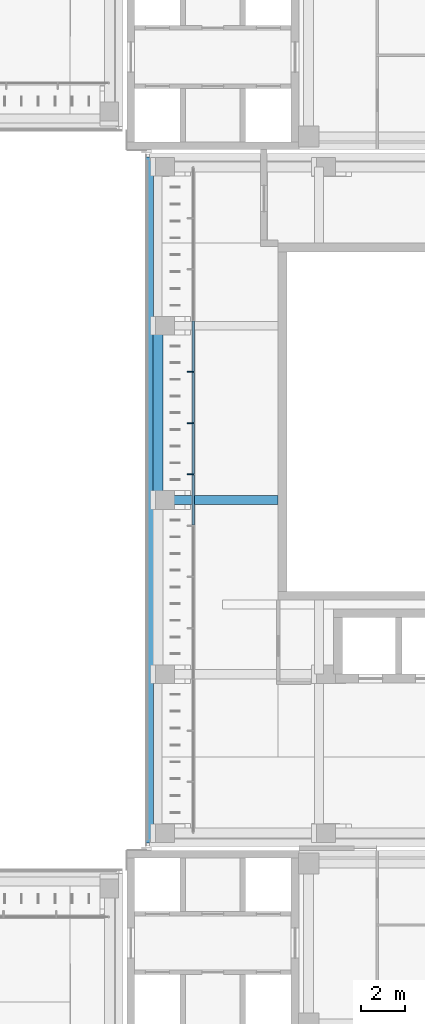
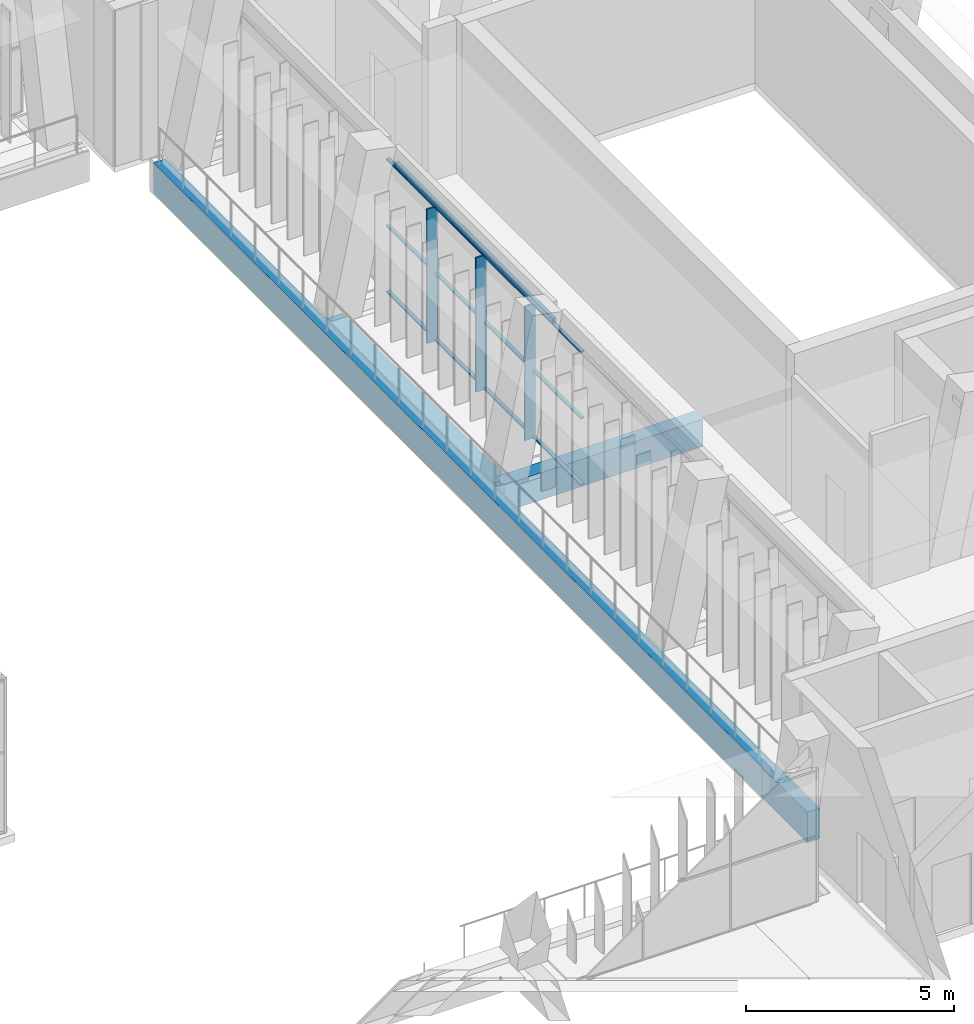
# One storey, part 41 of 92: 15 members, 4 beams, 1 element without a shape of its own.
"""IFC4 building model written with IfcOpenShell, lengths in metres."""

from ifc_helpers import new_model, si_unit, direction, frame, origin, origin_2d, place, context, subcontext, project, spatial, rectangle, hollow_rectangle, extrude, material, material_profile, profile_set, type_object, element, aggregate, save


model = new_model("IFC4")

# Units and contexts
model_context = context("Model", 3, precision=1e-05, world=origin(), true_north=direction((0.0, 1.0)))
body_context = subcontext(model_context, "Body", "Model", "MODEL_VIEW")
ifc_project = project(units=[si_unit("LENGTHUNIT", "METRE"), si_unit("AREAUNIT", "SQUARE_METRE"), si_unit("VOLUMEUNIT", "CUBIC_METRE"), si_unit("PLANEANGLEUNIT", "RADIAN"), si_unit("MASSUNIT", "GRAM", prefix="KILO")], contexts=[model_context])

# Site, building, storey
site_placement = place(None, origin())
site = spatial("IfcSite", under=ifc_project, at=site_placement, CompositionType="ELEMENT")
building_placement = place(site_placement, origin())
building = spatial("IfcBuilding", under=site, at=building_placement, Name="Lantern Court Media Centre", CompositionType="ELEMENT")
storey_placement = place(building_placement, frame((0.0, 0.0, 4.800048828125)))
storey = spatial("IfcBuildingStorey", under=building, at=storey_placement, Name="L01", CompositionType="ELEMENT", Elevation=4.800048828125)

# Curtain wall, members
ifc_material_1 = material(Name="Curtain wall bay 2400")
curtain_wall_type = type_object("IfcCurtainWallType", Name="Curtain wall bay 2400", PredefinedType="NOTDEFINED", material=ifc_material_1)
curtain_wall_placement = place(storey_placement, origin())
curtain_wall = element("IfcCurtainWall", 1, at=curtain_wall_placement, inside=storey, type_object=curtain_wall_type, Name="Curtain wall E inner L01", PredefinedType="NOTDEFINED")
ifc_material_2 = material(Name="Anodised aluminium", Category="aluminium")
ifc_material_profile_1 = material_profile(ifc_material_2, rectangle(XDim=0.300048828125, YDim=0.050048828125, at=origin_2d()), Name="AL 50x300")
ifc_profile_set_1 = profile_set([ifc_material_profile_1], Name="Anodised aluminium")
member_type_1 = type_object("IfcMemberType", Name="Curtain wall mullion 50x300", PredefinedType="MULLION", material=ifc_profile_set_1)
member_1_placement = place(storey_placement, frame((83.030029296875, 81.177001953125, 0.0), z_axis=(0.0, 0.0, 1.0), x_axis=(-1.0, 0.0, 0.0)))
member_1 = element("IfcMember", 2, at=member_1_placement, type_object=member_type_1, Name="CW2 mullion 8", PredefinedType="MULLION", context=body_context, shape_type="SweptSolid", body=[
    extrude(rectangle(XDim=0.300048828125, YDim=0.050048828125, at=origin_2d()), origin(), (0.0, 0.0, 1.0), 3.949951171875),
])
member_2_placement = place(storey_placement, frame((83.030029296875, 83.53076171875, 0.0), z_axis=(0.0, 0.0, 1.0), x_axis=(-1.0, 0.0, 0.0)))
member_2 = element("IfcMember", 3, at=member_2_placement, type_object=member_type_1, Name="CW2 mullion 9", PredefinedType="MULLION", context=body_context, shape_type="SweptSolid", body=[
    extrude(rectangle(XDim=0.300048828125, YDim=0.050048828125, at=origin_2d()), origin(), (0.0, 0.0, 1.0), 3.949951171875),
])
member_3_placement = place(storey_placement, frame((83.030029296875, 85.884521484375, 0.0), z_axis=(0.0, 0.0, 1.0), x_axis=(-1.0, 0.0, 0.0)))
member_3 = element("IfcMember", 4, at=member_3_placement, type_object=member_type_1, Name="CW2 mullion 10", PredefinedType="MULLION", context=body_context, shape_type="SweptSolid", body=[
    extrude(rectangle(XDim=0.300048828125, YDim=0.050048828125, at=origin_2d()), origin(), (0.0, 0.0, 1.0), 3.949951171875),
])
ifc_material_profile_2 = material_profile(ifc_material_2, rectangle(XDim=0.10009765625, YDim=0.050048828125, at=origin_2d()), Name="AL 50x100")
ifc_profile_set_2 = profile_set([ifc_material_profile_2], Name="Anodised aluminium")
member_type_2 = type_object("IfcMemberType", Name="Curtain wall transom 100x50", PredefinedType="USERDEFINED", material=ifc_profile_set_2)
member_4_placement = place(storey_placement, frame((83.14990234375, 78.84814453125, 0.02490234375), z_axis=(0.0, 1.0, 0.0), x_axis=(-1.0, 0.0, 0.0)))
member_4 = element("IfcMember", 5, at=member_4_placement, type_object=member_type_2, Name="CW2 transom 7.1", ObjectType="TRANSOM", PredefinedType="USERDEFINED", context=body_context, shape_type="SweptSolid", body=[
    extrude(rectangle(XDim=0.10009765625, YDim=0.050048828125, at=origin_2d()), origin(), (0.0, 0.0, 1.0), 2.3037109375),
])
member_5_placement = place(storey_placement, frame((83.14990234375, 78.84814453125, 1.974853515625), z_axis=(0.0, 1.0, 0.0), x_axis=(-1.0, 0.0, 0.0)))
member_5 = element("IfcMember", 6, at=member_5_placement, type_object=member_type_2, Name="CW2 transom 7.2", ObjectType="TRANSOM", PredefinedType="USERDEFINED", context=body_context, shape_type="SweptSolid", body=[
    extrude(rectangle(XDim=0.10009765625, YDim=0.050048828125, at=origin_2d()), origin(), (0.0, 0.0, 1.0), 2.3037109375),
])
member_6_placement = place(storey_placement, frame((83.14990234375, 78.84814453125, 3.925048828125), z_axis=(0.0, 1.0, 0.0), x_axis=(-1.0, 0.0, 0.0)))
member_6 = element("IfcMember", 7, at=member_6_placement, type_object=member_type_2, Name="CW2 transom 7.3", ObjectType="TRANSOM", PredefinedType="USERDEFINED", context=body_context, shape_type="SweptSolid", body=[
    extrude(rectangle(XDim=0.10009765625, YDim=0.050048828125, at=origin_2d()), origin(), (0.0, 0.0, 1.0), 2.3037109375),
])
member_7_placement = place(storey_placement, frame((83.14990234375, 81.201904296875, 0.02490234375), z_axis=(0.0, 1.0, 0.0), x_axis=(-1.0, 0.0, 0.0)))
member_7 = element("IfcMember", 8, at=member_7_placement, type_object=member_type_2, Name="CW2 transom 8.1", ObjectType="TRANSOM", PredefinedType="USERDEFINED", context=body_context, shape_type="SweptSolid", body=[
    extrude(rectangle(XDim=0.10009765625, YDim=0.050048828125, at=origin_2d()), origin(), (0.0, 0.0, 1.0), 2.303955078125),
])
member_8_placement = place(storey_placement, frame((83.14990234375, 81.201904296875, 1.974853515625), z_axis=(0.0, 1.0, 0.0), x_axis=(-1.0, 0.0, 0.0)))
member_8 = element("IfcMember", 9, at=member_8_placement, type_object=member_type_2, Name="CW2 transom 8.2", ObjectType="TRANSOM", PredefinedType="USERDEFINED", context=body_context, shape_type="SweptSolid", body=[
    extrude(rectangle(XDim=0.10009765625, YDim=0.050048828125, at=origin_2d()), origin(), (0.0, 0.0, 1.0), 2.303955078125),
])
member_9_placement = place(storey_placement, frame((83.14990234375, 81.201904296875, 3.925048828125), z_axis=(0.0, 1.0, 0.0), x_axis=(-1.0, 0.0, 0.0)))
member_9 = element("IfcMember", 10, at=member_9_placement, type_object=member_type_2, Name="CW2 transom 8.3", ObjectType="TRANSOM", PredefinedType="USERDEFINED", context=body_context, shape_type="SweptSolid", body=[
    extrude(rectangle(XDim=0.10009765625, YDim=0.050048828125, at=origin_2d()), origin(), (0.0, 0.0, 1.0), 2.303955078125),
])
member_10_placement = place(storey_placement, frame((83.14990234375, 83.5556640625, 0.02490234375), z_axis=(0.0, 1.0, 0.0), x_axis=(-1.0, 0.0, 0.0)))
member_10 = element("IfcMember", 11, at=member_10_placement, type_object=member_type_2, Name="CW2 transom 9.1", ObjectType="TRANSOM", PredefinedType="USERDEFINED", context=body_context, shape_type="SweptSolid", body=[
    extrude(rectangle(XDim=0.10009765625, YDim=0.050048828125, at=origin_2d()), origin(), (0.0, 0.0, 1.0), 2.303955078125),
])
member_11_placement = place(storey_placement, frame((83.14990234375, 83.5556640625, 1.974853515625), z_axis=(0.0, 1.0, 0.0), x_axis=(-1.0, 0.0, 0.0)))
member_11 = element("IfcMember", 12, at=member_11_placement, type_object=member_type_2, Name="CW2 transom 9.2", ObjectType="TRANSOM", PredefinedType="USERDEFINED", context=body_context, shape_type="SweptSolid", body=[
    extrude(rectangle(XDim=0.10009765625, YDim=0.050048828125, at=origin_2d()), origin(), (0.0, 0.0, 1.0), 2.303955078125),
])
member_12_placement = place(storey_placement, frame((83.14990234375, 83.5556640625, 3.925048828125), z_axis=(0.0, 1.0, 0.0), x_axis=(-1.0, 0.0, 0.0)))
member_12 = element("IfcMember", 13, at=member_12_placement, type_object=member_type_2, Name="CW2 transom 9.3", ObjectType="TRANSOM", PredefinedType="USERDEFINED", context=body_context, shape_type="SweptSolid", body=[
    extrude(rectangle(XDim=0.10009765625, YDim=0.050048828125, at=origin_2d()), origin(), (0.0, 0.0, 1.0), 2.303955078125),
])
member_13_placement = place(storey_placement, frame((83.14990234375, 85.90966796875, 0.02490234375), z_axis=(0.0, 1.0, 0.0), x_axis=(-1.0, 0.0, 0.0)))
member_13 = element("IfcMember", 14, at=member_13_placement, type_object=member_type_2, Name="CW2 transom 10.1", ObjectType="TRANSOM", PredefinedType="USERDEFINED", context=body_context, shape_type="SweptSolid", body=[
    extrude(rectangle(XDim=0.10009765625, YDim=0.050048828125, at=origin_2d()), origin(), (0.0, 0.0, 1.0), 2.3037109375),
])
member_14_placement = place(storey_placement, frame((83.14990234375, 85.90966796875, 1.974853515625), z_axis=(0.0, 1.0, 0.0), x_axis=(-1.0, 0.0, 0.0)))
member_14 = element("IfcMember", 15, at=member_14_placement, type_object=member_type_2, Name="CW2 transom 10.2", ObjectType="TRANSOM", PredefinedType="USERDEFINED", context=body_context, shape_type="SweptSolid", body=[
    extrude(rectangle(XDim=0.10009765625, YDim=0.050048828125, at=origin_2d()), origin(), (0.0, 0.0, 1.0), 2.3037109375),
])
member_15_placement = place(storey_placement, frame((83.14990234375, 85.90966796875, 3.925048828125), z_axis=(0.0, 1.0, 0.0), x_axis=(-1.0, 0.0, 0.0)))
member_15 = element("IfcMember", 16, at=member_15_placement, type_object=member_type_2, Name="CW2 transom 10.3", ObjectType="TRANSOM", PredefinedType="USERDEFINED", context=body_context, shape_type="SweptSolid", body=[
    extrude(rectangle(XDim=0.10009765625, YDim=0.050048828125, at=origin_2d()), origin(), (0.0, 0.0, 1.0), 2.3037109375),
])
aggregate(curtain_wall, [member_1, member_2, member_3, member_4, member_5, member_6, member_7, member_8, member_9, member_10, member_11, member_12, member_13, member_14, member_15])

# Beams
ifc_material_3 = material(Name="Steel S355J2 (EN 10025-2)", Category="steel")
ifc_material_profile_3 = material_profile(ifc_material_3, hollow_rectangle(XDim=0.10009765625, YDim=0.14990234375, WallThickness=0.00634765625, InnerFilletRadius=0.00634765625, OuterFilletRadius=0.009521484375, at=origin_2d()), Name="Facade head lintel RHS 150x100x6.3")
ifc_profile_set_3 = profile_set([ifc_material_profile_3], Name="Steel S355J2 (EN 10025-2)")
beam_type_1 = type_object("IfcBeamType", Name="Facade head lintel RHS 150x100x6.3", PredefinedType="BEAM", material=ifc_profile_set_3)
beam_1_placement = place(storey_placement, frame((83.14990234375, 80.199951171875, 4.02490234375), z_axis=(0.0, 1.0, 0.0), x_axis=(-1.0, 0.0, 0.0)))
element("IfcBeam", 17, at=beam_1_placement, inside=storey, type_object=beam_type_1, Name="Facade head lintel E L01", PredefinedType="BEAM", context=body_context, shape_type="SweptSolid", body=[
    extrude(hollow_rectangle(XDim=0.10009765625, YDim=0.14990234375, WallThickness=0.00634765625, InnerFilletRadius=0.00634765625, OuterFilletRadius=0.009521484375, at=origin_2d()), origin(), (0.0, 0.0, 1.0), 7.60009765625),
])
ifc_material_4 = material(Name="Concrete C35", Category="concrete")
ifc_material_profile_4 = material_profile(ifc_material_4, rectangle(XDim=0.35009765625, YDim=0.89990234375, at=origin_2d()), Name="RC 350x900")
ifc_profile_set_4 = profile_set([ifc_material_profile_4], Name="Concrete C35")
beam_type_2 = type_object("IfcBeamType", Name="RC BEAM 350x900", PredefinedType="BEAM", material=ifc_profile_set_4)
beam_2_placement = place(storey_placement, frame((81.14990234375, 64.25, -0.449951171875), z_axis=(0.0, 1.0, 0.0), x_axis=(-1.0, 0.0, 0.0)))
element("IfcBeam", 18, at=beam_2_placement, inside=storey, type_object=beam_type_2, Name="EB-E-L01-A", PredefinedType="BEAM", context=body_context, shape_type="SweptSolid", body=[
    extrude(rectangle(XDim=0.35009765625, YDim=0.89990234375, at=origin_2d()), origin(), (0.0, 0.0, 1.0), 31.5),
])
ifc_material_profile_5 = material_profile(ifc_material_4, rectangle(XDim=0.39990234375, YDim=0.800048828125, at=origin_2d()), Name="RC 400x800")
ifc_profile_set_5 = profile_set([ifc_material_profile_5], Name="Concrete C35")
beam_type_3 = type_object("IfcBeamType", Name="RC BEAM 400x800", PredefinedType="BEAM", material=ifc_profile_set_5)
beam_3_placement = place(storey_placement, frame((81.5166015625, 80.0, -0.400146484375), z_axis=(1.0, 0.0, 0.0), x_axis=(0.0, 1.0, 0.0)))
element("IfcBeam", 19, at=beam_3_placement, inside=storey, type_object=beam_type_3, Name="TB-E-L01-2-1", PredefinedType="BEAM", context=body_context, shape_type="SweptSolid", body=[
    extrude(rectangle(XDim=0.39990234375, YDim=0.800048828125, at=origin_2d()), origin(), (0.0, 0.0, 1.0), 5.533447265625),
])
ifc_material_profile_6 = material_profile(ifc_material_4, rectangle(XDim=0.449951171875, YDim=0.699951171875, at=origin_2d()), Name="RC 450x700")
ifc_profile_set_6 = profile_set([ifc_material_profile_6], Name="Concrete C35")
beam_type_4 = type_object("IfcBeamType", Name="RC BEAM 450x700", PredefinedType="BEAM", material=ifc_profile_set_6)
beam_4_placement = place(storey_placement, frame((81.527099609375, 80.0, -0.35009765625), z_axis=(0.0, 1.0, 0.0), x_axis=(-1.0, 0.0, 0.0)))
element("IfcBeam", 20, at=beam_4_placement, inside=storey, type_object=beam_type_4, Name="LB-E-L01-0-2", PredefinedType="BEAM", context=body_context, shape_type="SweptSolid", body=[
    extrude(rectangle(XDim=0.449951171875, YDim=0.699951171875, at=origin_2d()), origin(), (0.0, 0.0, 1.0), 8.0),
])

save(model, "model.ifc")
